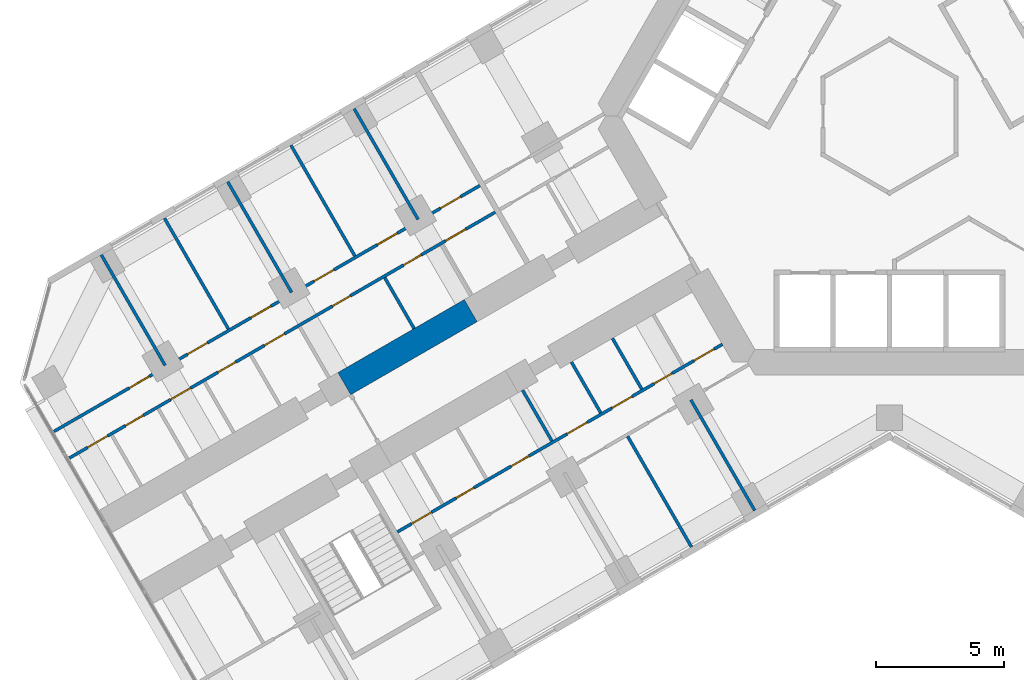
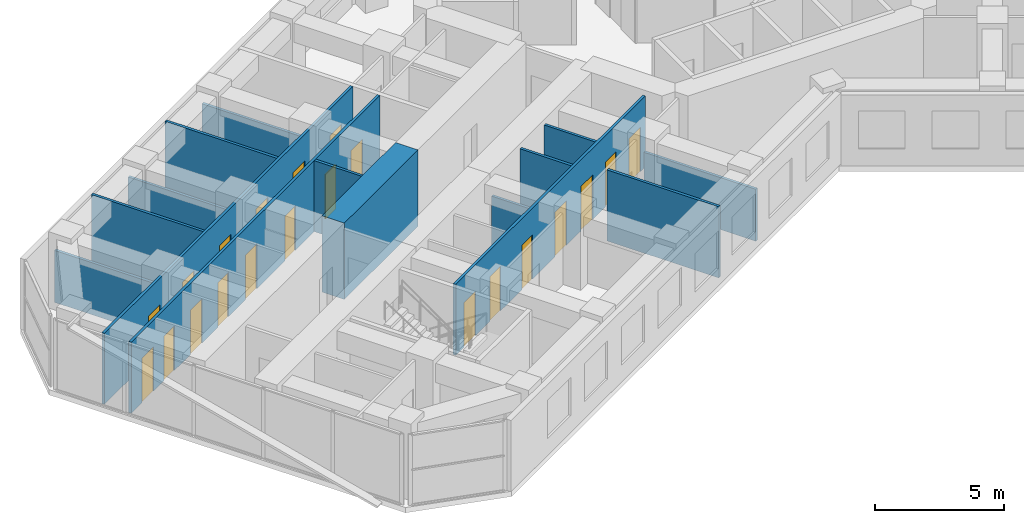
# One storey, part 11 of 21: 21 doors, 15 walls, 21 openings.
"""IFC4 building model written with IfcOpenShell, lengths in metres."""

from ifc_helpers import new_model, si_unit, direction, frame, frame_2d, origin, place, context, subcontext, project, spatial, rectangle, extrude, material, layer, layer_set, type_object, element, fill, save


model = new_model("IFC4")

# Units and contexts
model_context = context("Model", 3, precision=1e-05, world=origin(), true_north=direction((0.0, 1.0)))
body_context = subcontext(model_context, "Body", "Model", "MODEL_VIEW")
ifc_project = project(units=[si_unit("LENGTHUNIT", "METRE"), si_unit("AREAUNIT", "SQUARE_METRE"), si_unit("VOLUMEUNIT", "CUBIC_METRE"), si_unit("PLANEANGLEUNIT", "RADIAN"), si_unit("MASSUNIT", "GRAM", prefix="KILO")], contexts=[model_context])

# Site, building, storey
site_placement = place(None, origin())
site = spatial("IfcSite", under=ifc_project, at=site_placement, CompositionType="ELEMENT")
building_placement = place(site_placement, origin())
building = spatial("IfcBuilding", under=site, at=building_placement, Name="Kosmar Iwan School Tower", CompositionType="ELEMENT")
storey_placement = place(building_placement, frame((0.0, 0.0, 50.199951171875)))
storey = spatial("IfcBuildingStorey", under=building, at=storey_placement, Name="L11", CompositionType="ELEMENT", Elevation=50.199951171875)

# Wall
ifc_material_1 = material(Name="Concrete C50/60", Category="concrete")
ifc_layer_1 = layer(ifc_material_1, 1.0)
ifc_layer_set_1 = layer_set([ifc_layer_1], Name="Corridor buttress wall 1000")
wall_type_1 = type_object("IfcWallType", Name="Corridor buttress wall 1000", PredefinedType="SHEAR", material=ifc_layer_set_1)
wall_1_placement = place(storey_placement, frame((-16.34521484375, -7.58935546875, 0.0), z_axis=(0.0, 0.0, 1.0), x_axis=(-0.866015111908, -0.50001782563, 0.0)))
element("IfcWall", 1, at=wall_1_placement, inside=storey, type_object=wall_type_1, Name="Corridor wall BR bay 2", PredefinedType="SHEAR", context=body_context, shape_type="SweptSolid", body=[
    extrude(rectangle(XDim=5.699951171875, YDim=1.0, at=frame_2d((2.85009765625, 0.0))), origin(), (0.0, 0.0, 1.0), 3.60009765625),
])

# Wall, openings, doors
ifc_material_2 = material(Name="Gypsum board on steel studs", Category="steel")
ifc_layer_2 = layer(ifc_material_2, 0.1201171875)
ifc_layer_set_2 = layer_set([ifc_layer_2], Name="Dwelling partition 120")
wall_type_2 = type_object("IfcWallType", Name="Dwelling partition 120", PredefinedType="PARTITIONING", material=ifc_layer_set_2)
wall_2_placement = place(storey_placement, frame((-6.521728515625, -8.90380859375, 0.0), z_axis=(0.0, 0.0, 1.0), x_axis=(-0.866030734856, -0.4999907662, 0.0)))
wall_2 = element("IfcWall", 2, at=wall_2_placement, inside=storey, type_object=wall_type_2, Name="Partition L11-BL1-W1", PredefinedType="PARTITIONING", context=body_context, shape_type="SweptSolid", body=[
    extrude(rectangle(XDim=14.650146484375, YDim=0.1201171875, at=frame_2d((7.3251953125, 0.0))), origin(), (0.0, 0.0, 1.0), 3.35009765625),
])
opening_1_placement = place(wall_2_placement, frame((0.375, 0.0, 0.0)))
opening_1 = element("IfcOpeningElement", 3, at=opening_1_placement, cuts=wall_2, Name="Opening D2", PredefinedType="OPENING", context=body_context, shape_type="SweptSolid", body=[
    extrude(rectangle(XDim=0.89990234375, YDim=2.10009765625, at=frame_2d((0.449951171875, 1.050048828125))), frame((0.0, 0.072021484375, 0.0), z_axis=(0.0, -1.0, 0.0), x_axis=(1.0, 0.0, 0.0)), (0.0, 0.0, 1.0), 0.14404296875),
])
opening_2_placement = place(wall_2_placement, frame((2.27490234375, 0.0, 0.0)))
opening_2 = element("IfcOpeningElement", 4, at=opening_2_placement, cuts=wall_2, Name="Opening D3", PredefinedType="OPENING", context=body_context, shape_type="SweptSolid", body=[
    extrude(rectangle(XDim=0.800048828125, YDim=2.10009765625, at=frame_2d((0.39990234375, 1.050048828125))), frame((0.0, 0.072021484375, 0.0), z_axis=(0.0, -1.0, 0.0), x_axis=(1.0, 0.0, 0.0)), (0.0, 0.0, 1.0), 0.14404296875),
])
opening_3_placement = place(wall_2_placement, frame((4.074951171875, 0.0, 0.0)))
opening_3 = element("IfcOpeningElement", 5, at=opening_3_placement, cuts=wall_2, Name="Opening D2", PredefinedType="OPENING", context=body_context, shape_type="SweptSolid", body=[
    extrude(rectangle(XDim=0.89990234375, YDim=2.10009765625, at=frame_2d((0.449951171875, 1.050048828125))), frame((0.0, 0.072021484375, 0.0), z_axis=(0.0, -1.0, 0.0), x_axis=(1.0, 0.0, 0.0)), (0.0, 0.0, 1.0), 0.14404296875),
])
opening_4_placement = place(wall_2_placement, frame((6.10009765625, 0.0, 0.0)))
opening_4 = element("IfcOpeningElement", 6, at=opening_4_placement, cuts=wall_2, Name="Opening D2", PredefinedType="OPENING", context=body_context, shape_type="SweptSolid", body=[
    extrude(rectangle(XDim=0.89990234375, YDim=2.10009765625, at=frame_2d((0.449951171875, 1.050048828125))), frame((0.0, 0.072021484375, 0.0), z_axis=(0.0, -1.0, 0.0), x_axis=(1.0, 0.0, 0.0)), (0.0, 0.0, 1.0), 0.14404296875),
])
opening_5_placement = place(wall_2_placement, frame((8.728515625, 0.0, 0.0)))
opening_5 = element("IfcOpeningElement", 7, at=opening_5_placement, cuts=wall_2, Name="Opening D3", PredefinedType="OPENING", context=body_context, shape_type="SweptSolid", body=[
    extrude(rectangle(XDim=0.800048828125, YDim=2.10009765625, at=frame_2d((0.39990234375, 1.050048828125))), frame((0.0, 0.072021484375, 0.0), z_axis=(0.0, -1.0, 0.0), x_axis=(1.0, 0.0, 0.0)), (0.0, 0.0, 1.0), 0.14404296875),
])
opening_6_placement = place(wall_2_placement, frame((11.19287109375, 0.0, 0.0)))
opening_6 = element("IfcOpeningElement", 8, at=opening_6_placement, cuts=wall_2, Name="Opening D3", PredefinedType="OPENING", context=body_context, shape_type="SweptSolid", body=[
    extrude(rectangle(XDim=0.800048828125, YDim=2.10009765625, at=frame_2d((0.39990234375, 1.050048828125))), frame((0.0, 0.072021484375, 0.0), z_axis=(0.0, -1.0, 0.0), x_axis=(1.0, 0.0, 0.0)), (0.0, 0.0, 1.0), 0.14404296875),
])
opening_7_placement = place(wall_2_placement, frame((13.1142578125, 0.0, 0.0)))
opening_7 = element("IfcOpeningElement", 9, at=opening_7_placement, cuts=wall_2, Name="Opening D2", PredefinedType="OPENING", context=body_context, shape_type="SweptSolid", body=[
    extrude(rectangle(XDim=0.89990234375, YDim=2.10009765625, at=frame_2d((0.449951171875, 1.050048828125))), frame((0.0, 0.072021484375, 0.0), z_axis=(0.0, -1.0, 0.0), x_axis=(1.0, 0.0, 0.0)), (0.0, 0.0, 1.0), 0.14404296875),
])
ifc_material_3 = material(Name="Timber door in timber frame", Category="wood")
door_type_1 = type_object("IfcDoorType", Name="Internal door 900x2100", OperationType="SINGLE_SWING_LEFT", PredefinedType="DOOR", material=ifc_material_3)
door_1_placement = place(opening_1_placement, origin())
door_1 = element("IfcDoor", 10, at=door_1_placement, inside=storey, type_object=door_type_1, Name="Dressing room door L11-BL1-S1", OperationType="SINGLE_SWING_LEFT", OverallHeight=2.10009765625, OverallWidth=0.89990234375, PredefinedType="DOOR", context=body_context, shape_type="SweptSolid", body=[
    extrude(rectangle(XDim=0.89990234375, YDim=2.10009765625, at=frame_2d((0.449951171875, 1.050048828125))), frame((0.0, 0.02490234375, 0.0), z_axis=(0.0, -1.0, 0.0), x_axis=(1.0, 0.0, 0.0)), (0.0, 0.0, 1.0), 0.050048828125),
])
fill(opening_1, door_1)
door_2_placement = place(opening_3_placement, origin())
door_2 = element("IfcDoor", 11, at=door_2_placement, inside=storey, type_object=door_type_1, Name="Pantry door L11-BL1-S3", OperationType="SINGLE_SWING_LEFT", OverallHeight=2.10009765625, OverallWidth=0.89990234375, PredefinedType="DOOR", context=body_context, shape_type="SweptSolid", body=[
    extrude(rectangle(XDim=0.89990234375, YDim=2.10009765625, at=frame_2d((0.449951171875, 1.050048828125))), frame((0.0, 0.02490234375, 0.0), z_axis=(0.0, -1.0, 0.0), x_axis=(1.0, 0.0, 0.0)), (0.0, 0.0, 1.0), 0.050048828125),
])
fill(opening_3, door_2)
door_3_placement = place(opening_4_placement, origin())
door_3 = element("IfcDoor", 12, at=door_3_placement, inside=storey, type_object=door_type_1, Name="Entrance hall door L11-BL1-S4", OperationType="SINGLE_SWING_LEFT", OverallHeight=2.10009765625, OverallWidth=0.89990234375, PredefinedType="DOOR", context=body_context, shape_type="SweptSolid", body=[
    extrude(rectangle(XDim=0.89990234375, YDim=2.10009765625, at=frame_2d((0.449951171875, 1.050048828125))), frame((0.0, 0.02490234375, 0.0), z_axis=(0.0, -1.0, 0.0), x_axis=(1.0, 0.0, 0.0)), (0.0, 0.0, 1.0), 0.050048828125),
])
fill(opening_4, door_3)
door_4_placement = place(opening_7_placement, frame((0.89990234375, 0.0, 0.0), z_axis=(0.0, 0.0, 1.0), x_axis=(-1.0, 0.0, 0.0)))
door_4 = element("IfcDoor", 13, at=door_4_placement, inside=storey, type_object=door_type_1, Name="Utility room door L11-BL1-S7", OperationType="SINGLE_SWING_LEFT", OverallHeight=2.10009765625, OverallWidth=0.89990234375, PredefinedType="DOOR", context=body_context, shape_type="SweptSolid", body=[
    extrude(rectangle(XDim=0.89990234375, YDim=2.10009765625, at=frame_2d((0.449951171875, 1.050048828125))), frame((0.0, 0.02490234375, 0.0), z_axis=(0.0, -1.0, 0.0), x_axis=(1.0, 0.0, 0.0)), (0.0, 0.0, 1.0), 0.050048828125),
])
fill(opening_7, door_4)
ifc_material_4 = material(Name="Timber door in timber frame", Category="wood")
door_type_2 = type_object("IfcDoorType", Name="Sanitary room door 800x2100", OperationType="SINGLE_SWING_LEFT", PredefinedType="DOOR", material=ifc_material_4)
door_5_placement = place(opening_2_placement, origin())
door_5 = element("IfcDoor", 14, at=door_5_placement, inside=storey, type_object=door_type_2, Name="Store door L11-BL1-S2", OperationType="SINGLE_SWING_LEFT", OverallHeight=2.10009765625, OverallWidth=0.800048828125, PredefinedType="DOOR", context=body_context, shape_type="SweptSolid", body=[
    extrude(rectangle(XDim=0.800048828125, YDim=2.10009765625, at=frame_2d((0.39990234375, 1.050048828125))), frame((0.0, 0.02490234375, 0.0), z_axis=(0.0, -1.0, 0.0), x_axis=(1.0, 0.0, 0.0)), (0.0, 0.0, 1.0), 0.050048828125),
])
fill(opening_2, door_5)
door_6_placement = place(opening_5_placement, origin())
door_6 = element("IfcDoor", 15, at=door_6_placement, inside=storey, type_object=door_type_2, Name="Bathroom door L11-BL1-S5", OperationType="SINGLE_SWING_RIGHT", OverallHeight=2.10009765625, OverallWidth=0.800048828125, PredefinedType="DOOR", context=body_context, shape_type="SweptSolid", body=[
    extrude(rectangle(XDim=0.800048828125, YDim=2.10009765625, at=frame_2d((0.39990234375, 1.050048828125))), frame((0.0, 0.02490234375, 0.0), z_axis=(0.0, -1.0, 0.0), x_axis=(1.0, 0.0, 0.0)), (0.0, 0.0, 1.0), 0.050048828125),
])
fill(opening_5, door_6)
door_7_placement = place(opening_6_placement, origin())
door_7 = element("IfcDoor", 16, at=door_7_placement, inside=storey, type_object=door_type_2, Name="WC door L11-BL1-S6", OperationType="SINGLE_SWING_RIGHT", OverallHeight=2.10009765625, OverallWidth=0.800048828125, PredefinedType="DOOR", context=body_context, shape_type="SweptSolid", body=[
    extrude(rectangle(XDim=0.800048828125, YDim=2.10009765625, at=frame_2d((0.39990234375, 1.050048828125))), frame((0.0, 0.02490234375, 0.0), z_axis=(0.0, -1.0, 0.0), x_axis=(1.0, 0.0, 0.0)), (0.0, 0.0, 1.0), 0.050048828125),
])
fill(opening_6, door_7)

# Walls
wall_3_placement = place(storey_placement, frame((-7.75390625, -11.070068359375, 0.0), z_axis=(0.0, 0.0, 1.0), x_axis=(0.500033033937, -0.866006330792, 0.0)))
element("IfcWall", 17, at=wall_3_placement, inside=storey, type_object=wall_type_2, Name="Partition L11-BL1-X1", PredefinedType="PARTITIONING", context=body_context, shape_type="SweptSolid", body=[
    extrude(rectangle(XDim=4.989990234375, YDim=0.1201171875, at=frame_2d((2.4951171875, 0.0))), origin(), (0.0, 0.0, 1.0), 2.449951171875),
])
wall_4_placement = place(storey_placement, frame((-10.221923828125, -12.4951171875, 0.0), z_axis=(0.0, 0.0, 1.0), x_axis=(0.499996339024, -0.86602751744, 0.0)))
element("IfcWall", 18, at=wall_4_placement, inside=storey, type_object=wall_type_2, Name="Partition L11-BL1-X2", PredefinedType="PARTITIONING", context=body_context, shape_type="SweptSolid", body=[
    extrude(rectangle(XDim=4.98974609375, YDim=0.1201171875, at=frame_2d((2.494873046875, 0.0))), origin(), (0.0, 0.0, 1.0), 3.35009765625),
])
for number, where, z_axis, x_axis, name in (
    (19, (-10.814453125, -8.668701171875, 0.0), (0.0, 0.0, 1.0), (0.500014693593, -0.866016920268, 0.0), "Partition L11-BL1-Y2"),
    (20, (-12.416748046875, -9.59375, 0.0), (0.0, 0.0, 1.0), (0.500014693593, -0.866016920268, 0.0), "Partition L11-BL1-Y3"),
):
    element("IfcWall", number, at=place(storey_placement, frame(where, z_axis=z_axis, x_axis=x_axis)), inside=storey, type_object=wall_type_2, Name=name, PredefinedType="PARTITIONING", context=body_context, shape_type="SweptSolid", body=[
        extrude(rectangle(XDim=2.2900390625, YDim=0.1201171875, at=frame_2d((1.14501953125, 0.0))), origin(), (0.0, 0.0, 1.0), 3.35009765625),
    ])
wall_5_placement = place(storey_placement, frame((-14.322021484375, -10.693603515625, 0.0), z_axis=(0.0, 0.0, 1.0), x_axis=(0.500014693593, -0.866016920268, 0.0)))
element("IfcWall", 21, at=wall_5_placement, inside=storey, type_object=wall_type_2, Name="Partition L11-BL1-Y4", PredefinedType="PARTITIONING", context=body_context, shape_type="SweptSolid", body=[
    extrude(rectangle(XDim=2.2900390625, YDim=0.1201171875, at=frame_2d((1.14501953125, 0.0))), origin(), (0.0, 0.0, 1.0), 2.449951171875),
])

# Wall, openings, doors
wall_6_placement = place(storey_placement, frame((-15.388671875, -3.74609375, 0.0), z_axis=(0.0, 0.0, 1.0), x_axis=(-0.866021011428, -0.500007607708, 0.0)))
wall_6 = element("IfcWall", 22, at=wall_6_placement, inside=storey, type_object=wall_type_2, Name="Partition L11-BR2-W1", PredefinedType="PARTITIONING", context=body_context, shape_type="SweptSolid", body=[
    extrude(rectangle(XDim=19.195068359375, YDim=0.1201171875, at=frame_2d((9.59765625, 0.0))), origin(), (0.0, 0.0, 1.0), 3.35009765625),
])
opening_8_placement = place(wall_6_placement, frame((1.32861328125, 0.0, 0.0)))
opening_8 = element("IfcOpeningElement", 23, at=opening_8_placement, cuts=wall_6, Name="Opening D2", PredefinedType="OPENING", context=body_context, shape_type="SweptSolid", body=[
    extrude(rectangle(XDim=0.89990234375, YDim=2.10009765625, at=frame_2d((0.449951171875, 1.050048828125))), frame((0.0, 0.072021484375, 0.0), z_axis=(0.0, -1.0, 0.0), x_axis=(1.0, 0.0, 0.0)), (0.0, 0.0, 1.0), 0.14404296875),
])
opening_9_placement = place(wall_6_placement, frame((3.335693359375, 0.0, 0.0)))
opening_9 = element("IfcOpeningElement", 24, at=opening_9_placement, cuts=wall_6, Name="Opening D3", PredefinedType="OPENING", context=body_context, shape_type="SweptSolid", body=[
    extrude(rectangle(XDim=0.800048828125, YDim=2.10009765625, at=frame_2d((0.39990234375, 1.050048828125))), frame((0.0, 0.072021484375, 0.0), z_axis=(0.0, -1.0, 0.0), x_axis=(1.0, 0.0, 0.0)), (0.0, 0.0, 1.0), 0.14404296875),
])
opening_10_placement = place(wall_6_placement, frame((6.5322265625, 0.0, 0.0)))
opening_10 = element("IfcOpeningElement", 25, at=opening_10_placement, cuts=wall_6, Name="Opening D3", PredefinedType="OPENING", context=body_context, shape_type="SweptSolid", body=[
    extrude(rectangle(XDim=0.800048828125, YDim=2.10009765625, at=frame_2d((0.39990234375, 1.050048828125))), frame((0.0, 0.072021484375, 0.0), z_axis=(0.0, -1.0, 0.0), x_axis=(1.0, 0.0, 0.0)), (0.0, 0.0, 1.0), 0.14404296875),
])
opening_11_placement = place(wall_6_placement, frame((9.5, 0.0, 0.0)))
opening_11 = element("IfcOpeningElement", 26, at=opening_11_placement, cuts=wall_6, Name="Opening D2", PredefinedType="OPENING", context=body_context, shape_type="SweptSolid", body=[
    extrude(rectangle(XDim=0.89990234375, YDim=2.10009765625, at=frame_2d((0.449951171875, 1.050048828125))), frame((0.0, 0.072021484375, 0.0), z_axis=(0.0, -1.0, 0.0), x_axis=(1.0, 0.0, 0.0)), (0.0, 0.0, 1.0), 0.14404296875),
])
opening_12_placement = place(wall_6_placement, frame((11.69384765625, 0.0, 0.0)))
opening_12 = element("IfcOpeningElement", 27, at=opening_12_placement, cuts=wall_6, Name="Opening D3", PredefinedType="OPENING", context=body_context, shape_type="SweptSolid", body=[
    extrude(rectangle(XDim=0.800048828125, YDim=2.10009765625, at=frame_2d((0.39990234375, 1.050048828125))), frame((0.0, 0.072021484375, 0.0), z_axis=(0.0, -1.0, 0.0), x_axis=(1.0, 0.0, 0.0)), (0.0, 0.0, 1.0), 0.14404296875),
])
opening_13_placement = place(wall_6_placement, frame((13.731201171875, 0.0, 0.0)))
opening_13 = element("IfcOpeningElement", 28, at=opening_13_placement, cuts=wall_6, Name="Opening D2", PredefinedType="OPENING", context=body_context, shape_type="SweptSolid", body=[
    extrude(rectangle(XDim=0.89990234375, YDim=2.10009765625, at=frame_2d((0.449951171875, 1.050048828125))), frame((0.0, 0.072021484375, 0.0), z_axis=(0.0, -1.0, 0.0), x_axis=(1.0, 0.0, 0.0)), (0.0, 0.0, 1.0), 0.14404296875),
])
opening_14_placement = place(wall_6_placement, frame((15.86865234375, 0.0, 0.0)))
opening_14 = element("IfcOpeningElement", 29, at=opening_14_placement, cuts=wall_6, Name="Opening D3", PredefinedType="OPENING", context=body_context, shape_type="SweptSolid", body=[
    extrude(rectangle(XDim=0.800048828125, YDim=2.10009765625, at=frame_2d((0.39990234375, 1.050048828125))), frame((0.0, 0.072021484375, 0.0), z_axis=(0.0, -1.0, 0.0), x_axis=(1.0, 0.0, 0.0)), (0.0, 0.0, 1.0), 0.14404296875),
])
opening_15_placement = place(wall_6_placement, frame((17.472412109375, 0.0, 0.0)))
opening_15 = element("IfcOpeningElement", 30, at=opening_15_placement, cuts=wall_6, Name="Opening D2", PredefinedType="OPENING", context=body_context, shape_type="SweptSolid", body=[
    extrude(rectangle(XDim=0.89990234375, YDim=2.10009765625, at=frame_2d((0.449951171875, 1.050048828125))), frame((0.0, 0.072021484375, 0.0), z_axis=(0.0, -1.0, 0.0), x_axis=(1.0, 0.0, 0.0)), (0.0, 0.0, 1.0), 0.14404296875),
])
door_8_placement = place(opening_8_placement, origin())
door_8 = element("IfcDoor", 31, at=door_8_placement, inside=storey, type_object=door_type_1, Name="Utility room door L11-BR2-S1", OperationType="SINGLE_SWING_RIGHT", OverallHeight=2.10009765625, OverallWidth=0.89990234375, PredefinedType="DOOR", context=body_context, shape_type="SweptSolid", body=[
    extrude(rectangle(XDim=0.89990234375, YDim=2.10009765625, at=frame_2d((0.449951171875, 1.050048828125))), frame((0.0, 0.02490234375, 0.0), z_axis=(0.0, -1.0, 0.0), x_axis=(1.0, 0.0, 0.0)), (0.0, 0.0, 1.0), 0.050048828125),
])
fill(opening_8, door_8)
door_9_placement = place(opening_11_placement, origin())
door_9 = element("IfcDoor", 32, at=door_9_placement, inside=storey, type_object=door_type_1, Name="Entrance hall door L11-BR2-S4", OperationType="SINGLE_SWING_LEFT", OverallHeight=2.10009765625, OverallWidth=0.89990234375, PredefinedType="DOOR", context=body_context, shape_type="SweptSolid", body=[
    extrude(rectangle(XDim=0.89990234375, YDim=2.10009765625, at=frame_2d((0.449951171875, 1.050048828125))), frame((0.0, 0.02490234375, 0.0), z_axis=(0.0, -1.0, 0.0), x_axis=(1.0, 0.0, 0.0)), (0.0, 0.0, 1.0), 0.050048828125),
])
fill(opening_11, door_9)
door_10_placement = place(opening_13_placement, origin())
door_10 = element("IfcDoor", 33, at=door_10_placement, inside=storey, type_object=door_type_1, Name="Pantry door L11-BR2-S6", OperationType="SINGLE_SWING_LEFT", OverallHeight=2.10009765625, OverallWidth=0.89990234375, PredefinedType="DOOR", context=body_context, shape_type="SweptSolid", body=[
    extrude(rectangle(XDim=0.89990234375, YDim=2.10009765625, at=frame_2d((0.449951171875, 1.050048828125))), frame((0.0, 0.02490234375, 0.0), z_axis=(0.0, -1.0, 0.0), x_axis=(1.0, 0.0, 0.0)), (0.0, 0.0, 1.0), 0.050048828125),
])
fill(opening_13, door_10)
door_11_placement = place(opening_15_placement, origin())
door_11 = element("IfcDoor", 34, at=door_11_placement, inside=storey, type_object=door_type_1, Name="Dressing room door L11-BR2-S8", OperationType="SINGLE_SWING_LEFT", OverallHeight=2.10009765625, OverallWidth=0.89990234375, PredefinedType="DOOR", context=body_context, shape_type="SweptSolid", body=[
    extrude(rectangle(XDim=0.89990234375, YDim=2.10009765625, at=frame_2d((0.449951171875, 1.050048828125))), frame((0.0, 0.02490234375, 0.0), z_axis=(0.0, -1.0, 0.0), x_axis=(1.0, 0.0, 0.0)), (0.0, 0.0, 1.0), 0.050048828125),
])
fill(opening_15, door_11)
door_12_placement = place(opening_9_placement, origin())
door_12 = element("IfcDoor", 35, at=door_12_placement, inside=storey, type_object=door_type_2, Name="WC door L11-BR2-S2", OperationType="SINGLE_SWING_LEFT", OverallHeight=2.10009765625, OverallWidth=0.800048828125, PredefinedType="DOOR", context=body_context, shape_type="SweptSolid", body=[
    extrude(rectangle(XDim=0.800048828125, YDim=2.10009765625, at=frame_2d((0.39990234375, 1.050048828125))), frame((0.0, 0.02490234375, 0.0), z_axis=(0.0, -1.0, 0.0), x_axis=(1.0, 0.0, 0.0)), (0.0, 0.0, 1.0), 0.050048828125),
])
fill(opening_9, door_12)
door_13_placement = place(opening_10_placement, origin())
door_13 = element("IfcDoor", 36, at=door_13_placement, inside=storey, type_object=door_type_2, Name="Bathroom door L11-BR2-S3", OperationType="SINGLE_SWING_RIGHT", OverallHeight=2.10009765625, OverallWidth=0.800048828125, PredefinedType="DOOR", context=body_context, shape_type="SweptSolid", body=[
    extrude(rectangle(XDim=0.800048828125, YDim=2.10009765625, at=frame_2d((0.39990234375, 1.050048828125))), frame((0.0, 0.02490234375, 0.0), z_axis=(0.0, -1.0, 0.0), x_axis=(1.0, 0.0, 0.0)), (0.0, 0.0, 1.0), 0.050048828125),
])
fill(opening_10, door_13)
door_14_placement = place(opening_12_placement, origin())
door_14 = element("IfcDoor", 37, at=door_14_placement, inside=storey, type_object=door_type_2, Name="Shower room door L11-BR2-S5", OperationType="SINGLE_SWING_RIGHT", OverallHeight=2.10009765625, OverallWidth=0.800048828125, PredefinedType="DOOR", context=body_context, shape_type="SweptSolid", body=[
    extrude(rectangle(XDim=0.800048828125, YDim=2.10009765625, at=frame_2d((0.39990234375, 1.050048828125))), frame((0.0, 0.02490234375, 0.0), z_axis=(0.0, -1.0, 0.0), x_axis=(1.0, 0.0, 0.0)), (0.0, 0.0, 1.0), 0.050048828125),
])
fill(opening_12, door_14)
door_15_placement = place(opening_14_placement, origin())
door_15 = element("IfcDoor", 38, at=door_15_placement, inside=storey, type_object=door_type_2, Name="Store door L11-BR2-S7", OperationType="SINGLE_SWING_RIGHT", OverallHeight=2.10009765625, OverallWidth=0.800048828125, PredefinedType="DOOR", context=body_context, shape_type="SweptSolid", body=[
    extrude(rectangle(XDim=0.800048828125, YDim=2.10009765625, at=frame_2d((0.39990234375, 1.050048828125))), frame((0.0, 0.02490234375, 0.0), z_axis=(0.0, -1.0, 0.0), x_axis=(1.0, 0.0, 0.0)), (0.0, 0.0, 1.0), 0.050048828125),
])
fill(opening_14, door_15)

wall_7_placement = place(storey_placement, frame((-15.988525390625, -2.70703125, 0.0), z_axis=(0.0, 0.0, 1.0), x_axis=(-0.866029698618, -0.499992561057, 0.0)))
wall_7 = element("IfcWall", 39, at=wall_7_placement, inside=storey, type_object=wall_type_2, Name="Partition L11-BR2-W2", PredefinedType="PARTITIONING", context=body_context, shape_type="SweptSolid", body=[
    extrude(rectangle(XDim=19.195068359375, YDim=0.1201171875, at=frame_2d((9.59765625, 0.0))), origin(), (0.0, 0.0, 1.0), 3.35009765625),
])
opening_16_placement = place(wall_7_placement, frame((0.875, 0.0, 0.0)))
opening_16 = element("IfcOpeningElement", 40, at=opening_16_placement, cuts=wall_7, Name="Opening D2", PredefinedType="OPENING", context=body_context, shape_type="SweptSolid", body=[
    extrude(rectangle(XDim=0.89990234375, YDim=2.10009765625, at=frame_2d((0.449951171875, 1.050048828125))), frame((0.0, 0.072021484375, 0.0), z_axis=(0.0, -1.0, 0.0), x_axis=(1.0, 0.0, 0.0)), (0.0, 0.0, 1.0), 0.14404296875),
])
opening_17_placement = place(wall_7_placement, frame((3.72509765625, 0.0, 0.0)))
opening_17 = element("IfcOpeningElement", 41, at=opening_17_placement, cuts=wall_7, Name="Opening D2", PredefinedType="OPENING", context=body_context, shape_type="SweptSolid", body=[
    extrude(rectangle(XDim=0.89990234375, YDim=2.10009765625, at=frame_2d((0.449951171875, 1.050048828125))), frame((0.0, 0.072021484375, 0.0), z_axis=(0.0, -1.0, 0.0), x_axis=(1.0, 0.0, 0.0)), (0.0, 0.0, 1.0), 0.14404296875),
])
opening_18_placement = place(wall_7_placement, frame((6.574951171875, 0.0, 0.0)))
opening_18 = element("IfcOpeningElement", 42, at=opening_18_placement, cuts=wall_7, Name="Opening D2", PredefinedType="OPENING", context=body_context, shape_type="SweptSolid", body=[
    extrude(rectangle(XDim=0.89990234375, YDim=2.10009765625, at=frame_2d((0.449951171875, 1.050048828125))), frame((0.0, 0.072021484375, 0.0), z_axis=(0.0, -1.0, 0.0), x_axis=(1.0, 0.0, 0.0)), (0.0, 0.0, 1.0), 0.14404296875),
])
opening_19_placement = place(wall_7_placement, frame((9.425048828125, 0.0, 0.0)))
opening_19 = element("IfcOpeningElement", 43, at=opening_19_placement, cuts=wall_7, Name="Opening D2", PredefinedType="OPENING", context=body_context, shape_type="SweptSolid", body=[
    extrude(rectangle(XDim=0.89990234375, YDim=2.10009765625, at=frame_2d((0.449951171875, 1.050048828125))), frame((0.0, 0.072021484375, 0.0), z_axis=(0.0, -1.0, 0.0), x_axis=(1.0, 0.0, 0.0)), (0.0, 0.0, 1.0), 0.14404296875),
])
opening_20_placement = place(wall_7_placement, frame((12.27490234375, 0.0, 0.0)))
opening_20 = element("IfcOpeningElement", 44, at=opening_20_placement, cuts=wall_7, Name="Opening D2", PredefinedType="OPENING", context=body_context, shape_type="SweptSolid", body=[
    extrude(rectangle(XDim=0.89990234375, YDim=2.10009765625, at=frame_2d((0.449951171875, 1.050048828125))), frame((0.0, 0.072021484375, 0.0), z_axis=(0.0, -1.0, 0.0), x_axis=(1.0, 0.0, 0.0)), (0.0, 0.0, 1.0), 0.14404296875),
])
opening_21_placement = place(wall_7_placement, frame((14.89990234375, 0.0, 0.0)))
opening_21 = element("IfcOpeningElement", 45, at=opening_21_placement, cuts=wall_7, Name="Opening D2", PredefinedType="OPENING", context=body_context, shape_type="SweptSolid", body=[
    extrude(rectangle(XDim=0.89990234375, YDim=2.10009765625, at=frame_2d((0.449951171875, 1.050048828125))), frame((0.0, 0.072021484375, 0.0), z_axis=(0.0, -1.0, 0.0), x_axis=(1.0, 0.0, 0.0)), (0.0, 0.0, 1.0), 0.14404296875),
])
door_16_placement = place(opening_16_placement, origin())
door_16 = element("IfcDoor", 46, at=door_16_placement, inside=storey, type_object=door_type_1, Name="Bedroom 1 door L11-BR2-F1", OperationType="SINGLE_SWING_LEFT", OverallHeight=2.10009765625, OverallWidth=0.89990234375, PredefinedType="DOOR", context=body_context, shape_type="SweptSolid", body=[
    extrude(rectangle(XDim=0.89990234375, YDim=2.10009765625, at=frame_2d((0.449951171875, 1.050048828125))), frame((0.0, 0.02490234375, 0.0), z_axis=(0.0, -1.0, 0.0), x_axis=(1.0, 0.0, 0.0)), (0.0, 0.0, 1.0), 0.050048828125),
])
fill(opening_16, door_16)
door_17_placement = place(opening_17_placement, origin())
door_17 = element("IfcDoor", 47, at=door_17_placement, inside=storey, type_object=door_type_1, Name="Bedroom 2 door L11-BR2-F2", OperationType="SINGLE_SWING_LEFT", OverallHeight=2.10009765625, OverallWidth=0.89990234375, PredefinedType="DOOR", context=body_context, shape_type="SweptSolid", body=[
    extrude(rectangle(XDim=0.89990234375, YDim=2.10009765625, at=frame_2d((0.449951171875, 1.050048828125))), frame((0.0, 0.02490234375, 0.0), z_axis=(0.0, -1.0, 0.0), x_axis=(1.0, 0.0, 0.0)), (0.0, 0.0, 1.0), 0.050048828125),
])
fill(opening_17, door_17)
door_18_placement = place(opening_18_placement, origin())
door_18 = element("IfcDoor", 48, at=door_18_placement, inside=storey, type_object=door_type_1, Name="Study door L11-BR2-F3", OperationType="SINGLE_SWING_LEFT", OverallHeight=2.10009765625, OverallWidth=0.89990234375, PredefinedType="DOOR", context=body_context, shape_type="SweptSolid", body=[
    extrude(rectangle(XDim=0.89990234375, YDim=2.10009765625, at=frame_2d((0.449951171875, 1.050048828125))), frame((0.0, 0.02490234375, 0.0), z_axis=(0.0, -1.0, 0.0), x_axis=(1.0, 0.0, 0.0)), (0.0, 0.0, 1.0), 0.050048828125),
])
fill(opening_18, door_18)
door_19_placement = place(opening_19_placement, origin())
door_19 = element("IfcDoor", 49, at=door_19_placement, inside=storey, type_object=door_type_1, Name="Bedroom 3 door L11-BR2-F4", OperationType="SINGLE_SWING_RIGHT", OverallHeight=2.10009765625, OverallWidth=0.89990234375, PredefinedType="DOOR", context=body_context, shape_type="SweptSolid", body=[
    extrude(rectangle(XDim=0.89990234375, YDim=2.10009765625, at=frame_2d((0.449951171875, 1.050048828125))), frame((0.0, 0.02490234375, 0.0), z_axis=(0.0, -1.0, 0.0), x_axis=(1.0, 0.0, 0.0)), (0.0, 0.0, 1.0), 0.050048828125),
])
fill(opening_19, door_19)
door_20_placement = place(opening_20_placement, origin())
door_20 = element("IfcDoor", 50, at=door_20_placement, inside=storey, type_object=door_type_1, Name="Bedroom 4 door L11-BR2-F5", OperationType="SINGLE_SWING_RIGHT", OverallHeight=2.10009765625, OverallWidth=0.89990234375, PredefinedType="DOOR", context=body_context, shape_type="SweptSolid", body=[
    extrude(rectangle(XDim=0.89990234375, YDim=2.10009765625, at=frame_2d((0.449951171875, 1.050048828125))), frame((0.0, 0.02490234375, 0.0), z_axis=(0.0, -1.0, 0.0), x_axis=(1.0, 0.0, 0.0)), (0.0, 0.0, 1.0), 0.050048828125),
])
fill(opening_20, door_20)
door_21_placement = place(opening_21_placement, origin())
door_21 = element("IfcDoor", 51, at=door_21_placement, inside=storey, type_object=door_type_1, Name="Living room and kitchen door L11-BR2-F6", OperationType="SINGLE_SWING_RIGHT", OverallHeight=2.10009765625, OverallWidth=0.89990234375, PredefinedType="DOOR", context=body_context, shape_type="SweptSolid", body=[
    extrude(rectangle(XDim=0.89990234375, YDim=2.10009765625, at=frame_2d((0.449951171875, 1.050048828125))), frame((0.0, 0.02490234375, 0.0), z_axis=(0.0, -1.0, 0.0), x_axis=(1.0, 0.0, 0.0)), (0.0, 0.0, 1.0), 0.050048828125),
])
fill(opening_21, door_21)

# Walls
wall_8_placement = place(storey_placement, frame((-18.400146484375, -4.030029296875, 0.0), z_axis=(0.0, 0.0, 1.0), x_axis=(-0.500011847778, 0.866018563358, 0.0)))
element("IfcWall", 52, at=wall_8_placement, inside=storey, type_object=wall_type_2, Name="Partition L11-BR2-X1", PredefinedType="PARTITIONING", context=body_context, shape_type="SweptSolid", body=[
    extrude(rectangle(XDim=4.990234375, YDim=0.1201171875, at=frame_2d((2.4951171875, 0.0))), origin(), (0.0, 0.0, 1.0), 2.449951171875),
])
wall_9_placement = place(storey_placement, frame((-20.868408203125, -5.455078125, 0.0), z_axis=(0.0, 0.0, 1.0), x_axis=(-0.499975153383, 0.86603974851, 0.0)))
element("IfcWall", 53, at=wall_9_placement, inside=storey, type_object=wall_type_2, Name="Partition L11-BR2-X2", PredefinedType="PARTITIONING", context=body_context, shape_type="SweptSolid", body=[
    extrude(rectangle(XDim=4.989990234375, YDim=0.1201171875, at=frame_2d((2.4951171875, 0.0))), origin(), (0.0, 0.0, 1.0), 3.35009765625),
])
wall_10_placement = place(storey_placement, frame((-23.33642578125, -6.8798828125, 0.0), z_axis=(0.0, 0.0, 1.0), x_axis=(-0.500033033937, 0.866006330792, 0.0)))
element("IfcWall", 54, at=wall_10_placement, inside=storey, type_object=wall_type_2, Name="Partition L11-BR2-X3", PredefinedType="PARTITIONING", context=body_context, shape_type="SweptSolid", body=[
    extrude(rectangle(XDim=4.989990234375, YDim=0.1201171875, at=frame_2d((2.4951171875, 0.0))), origin(), (0.0, 0.0, 1.0), 2.449951171875),
])
wall_11_placement = place(storey_placement, frame((-25.8046875, -8.304931640625, 0.0), z_axis=(0.0, 0.0, 1.0), x_axis=(-0.499975153383, 0.86603974851, 0.0)))
element("IfcWall", 55, at=wall_11_placement, inside=storey, type_object=wall_type_2, Name="Partition L11-BR2-X4", PredefinedType="PARTITIONING", context=body_context, shape_type="SweptSolid", body=[
    extrude(rectangle(XDim=4.989990234375, YDim=0.1201171875, at=frame_2d((2.4951171875, 0.0))), origin(), (0.0, 0.0, 1.0), 3.35009765625),
])
wall_12_placement = place(storey_placement, frame((-28.27294921875, -9.72998046875, 0.0), z_axis=(0.0, 0.0, 1.0), x_axis=(-0.499975153383, 0.86603974851, 0.0)))
element("IfcWall", 56, at=wall_12_placement, inside=storey, type_object=wall_type_2, Name="Partition L11-BR2-X5", PredefinedType="PARTITIONING", context=body_context, shape_type="SweptSolid", body=[
    extrude(rectangle(XDim=4.989990234375, YDim=0.1201171875, at=frame_2d((2.4951171875, 0.0))), origin(), (0.0, 0.0, 1.0), 2.449951171875),
])
wall_13_placement = place(storey_placement, frame((-18.55615234375, -8.28857421875, 0.0), z_axis=(0.0, 0.0, 1.0), x_axis=(-0.499968531483, 0.866043571379, 0.0)))
element("IfcWall", 57, at=wall_13_placement, inside=storey, type_object=wall_type_2, Name="Partition L11-BR2-Y2", PredefinedType="PARTITIONING", context=body_context, shape_type="SweptSolid", body=[
    extrude(rectangle(XDim=2.290283203125, YDim=0.1201171875, at=frame_2d((1.14501953125, 0.0))), origin(), (0.0, 0.0, 1.0), 3.35009765625),
])

save(model, "model.ifc")
